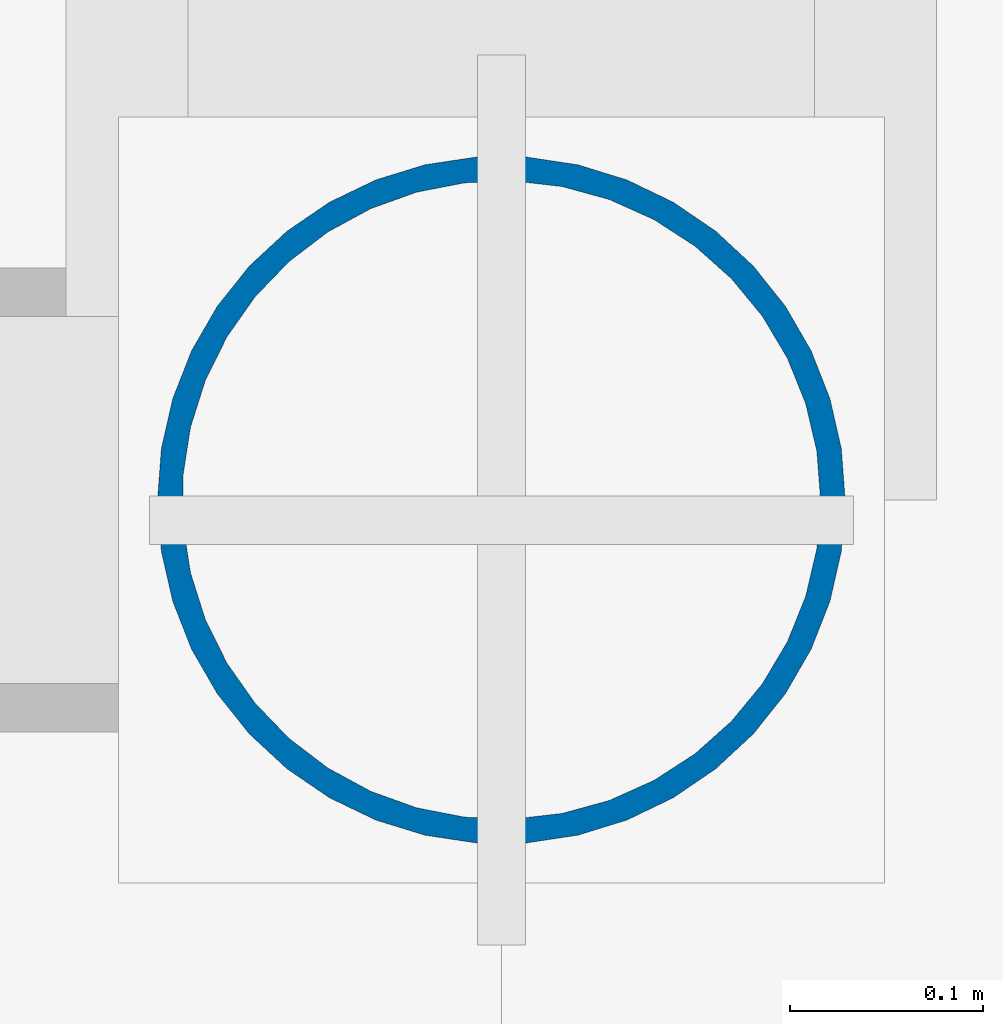
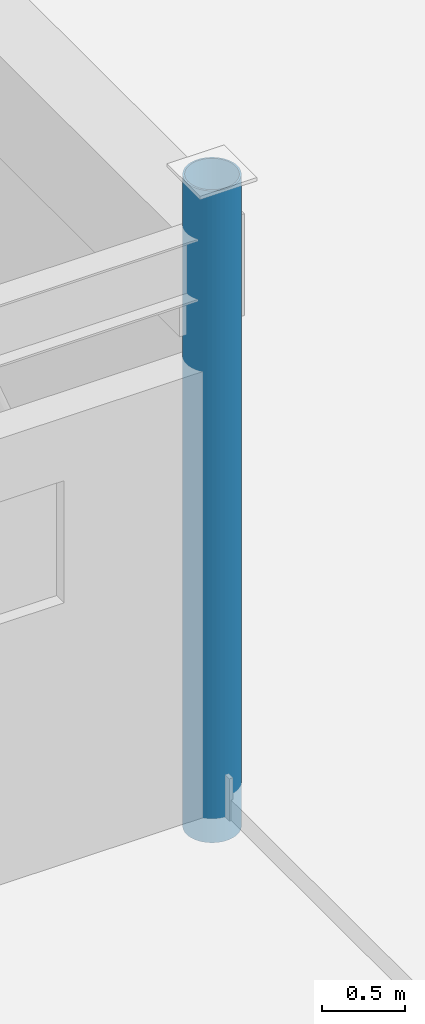
# One storey, part 4 of 186: 1 column.
"""IFC4 building model written with IfcOpenShell, lengths in metres."""

from ifc_helpers import new_model, si_unit, direction, frame, origin, origin_2d, place, context, subcontext, project, spatial, hollow_circle, extrude, material, material_profile, profile_set, type_object, element, save


model = new_model("IFC4")

# Units and contexts
model_context = context("Model", 3, precision=1e-05, world=origin(), true_north=direction((0.0, 1.0)))
body_context = subcontext(model_context, "Body", "Model", "MODEL_VIEW")
ifc_project = project(units=[si_unit("LENGTHUNIT", "METRE"), si_unit("AREAUNIT", "SQUARE_METRE"), si_unit("VOLUMEUNIT", "CUBIC_METRE"), si_unit("PLANEANGLEUNIT", "RADIAN"), si_unit("MASSUNIT", "GRAM", prefix="KILO")], contexts=[model_context])

# Site, building, storey
site_placement = place(None, origin())
site = spatial("IfcSite", under=ifc_project, at=site_placement, CompositionType="ELEMENT")
building_placement = place(site_placement, origin())
building = spatial("IfcBuilding", under=site, at=building_placement, Name="Tarnwether General Hospital", CompositionType="ELEMENT")
storey_placement = place(building_placement, frame((0.0, 0.0, 9.60009765625)))
storey = spatial("IfcBuildingStorey", under=building, at=storey_placement, Name="L02", CompositionType="ELEMENT", Elevation=9.60009765625)

# Column
ifc_material = material(Name="Steel Grade C350L0 (350 MPa)", Category="steel")
ifc_material_profile = material_profile(ifc_material, hollow_circle(Radius=0.177734375, WallThickness=0.0126953125, at=origin_2d()), Name="CHS355.6x12.7")
ifc_profile_set = profile_set([ifc_material_profile], Name="Steel Grade C350L0 (350 MPa)")
column_type = type_object("IfcColumnType", Name="COL-11", PredefinedType="COLUMN", material=ifc_profile_set)
column_placement = place(storey_placement, frame((48.0, 57.60009765625, 0.0), z_axis=(0.0, 0.0, 1.0), x_axis=(1.0, 0.0, 0.0)))
element("IfcColumn", 1, at=column_placement, inside=storey, type_object=column_type, Name="Column COLG-L02-4800_5760", PredefinedType="COLUMN", context=body_context, shape_type="SweptSolid", body=[
    extrude(hollow_circle(Radius=0.177734375, WallThickness=0.0126953125, at=origin_2d()), origin(), (0.0, 0.0, 1.0), 4.7998046875),
])

save(model, "model.ifc")
